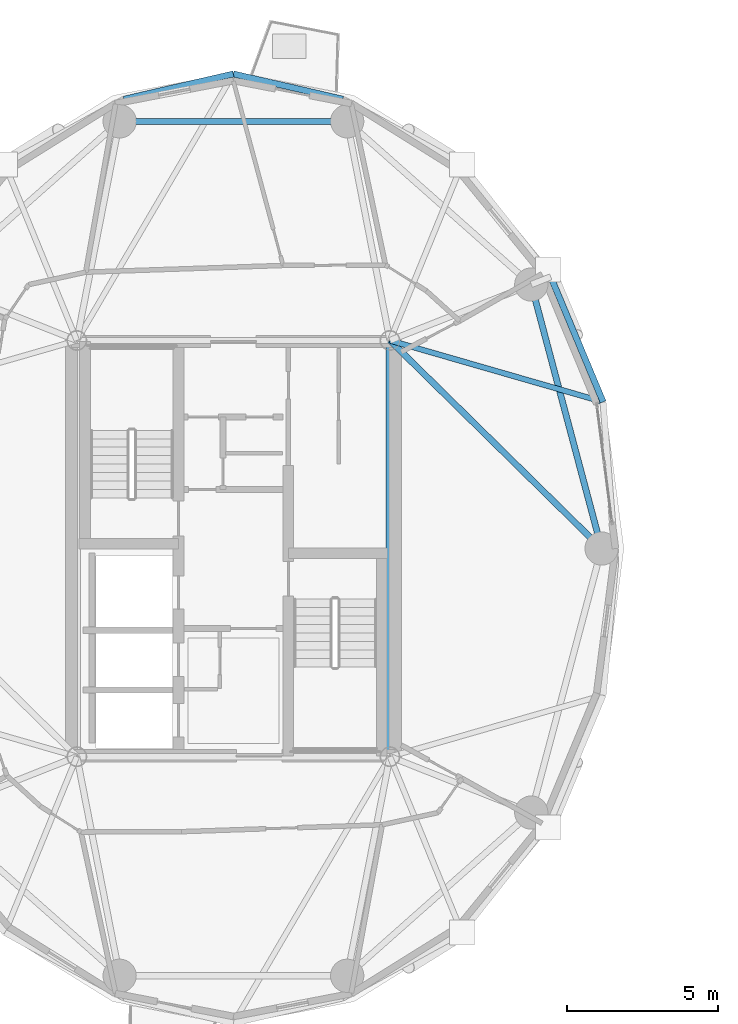
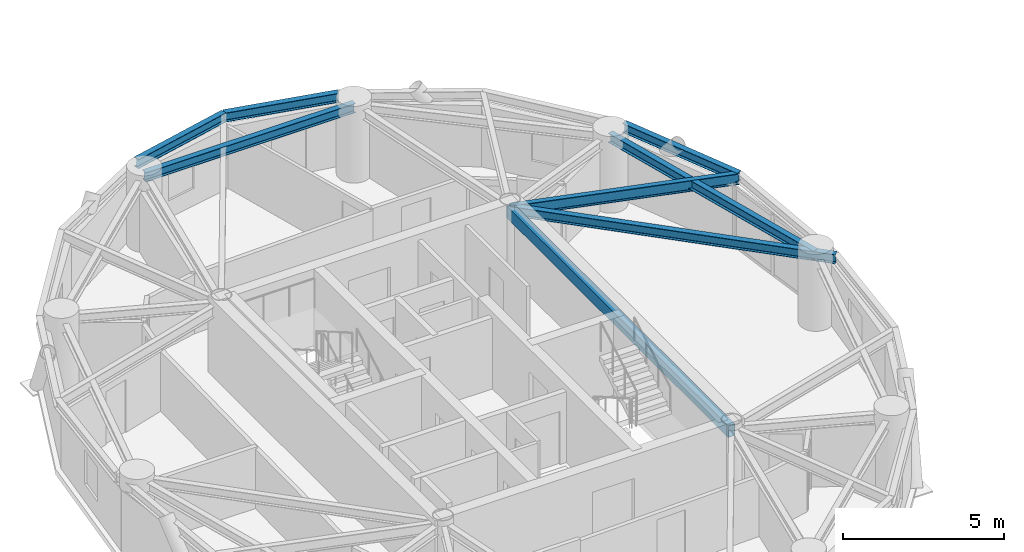
# One storey, part 2 of 16: 8 beams.
"""IFC4 building model written with IfcOpenShell, lengths in metres."""

from ifc_helpers import new_model, si_unit, direction, frame, origin, origin_2d, place, context, subcontext, project, spatial, hollow_rectangle, i_section, extrude, material, material_profile, profile_set, type_object, element, save


model = new_model("IFC4")

# Units and contexts
model_context = context("Model", 3, precision=1e-05, world=origin(), true_north=direction((0.0, 1.0)))
body_context = subcontext(model_context, "Body", "Model", "MODEL_VIEW")
ifc_project = project(units=[si_unit("LENGTHUNIT", "METRE"), si_unit("AREAUNIT", "SQUARE_METRE"), si_unit("VOLUMEUNIT", "CUBIC_METRE"), si_unit("PLANEANGLEUNIT", "RADIAN"), si_unit("MASSUNIT", "GRAM", prefix="KILO")], contexts=[model_context])

# Site, building, storey
site_placement = place(None, origin())
site = spatial("IfcSite", under=ifc_project, at=site_placement, CompositionType="ELEMENT")
building_placement = place(site_placement, origin())
building = spatial("IfcBuilding", under=site, at=building_placement, Name="Cununo Teusaquillo Station Towers", CompositionType="ELEMENT")
storey_placement = place(building_placement, frame((0.0, 0.0, 208.300048828125)))
storey = spatial("IfcBuildingStorey", under=building, at=storey_placement, Name="L66", CompositionType="ELEMENT", Elevation=208.300048828125)

# Beams
ifc_material_1 = material(Name="Steel EN 10025-2 S355J2", Category="steel")
ifc_material_profile_1 = material_profile(ifc_material_1, hollow_rectangle(XDim=0.25, YDim=0.449951171875, WallThickness=0.01611328125, at=origin_2d()), Name="RHS 450x250x16")
ifc_profile_set_1 = profile_set([ifc_material_profile_1], Name="Steel EN 10025-2 S355J2")
beam_type_1 = type_object("IfcBeamType", Name="BM-COUP-1", PredefinedType="USERDEFINED", material=ifc_profile_set_1)
beam_1_placement = place(storey_placement, frame((21.675048828125, 17.6201171875, 2.474853515625), z_axis=(0.0, 1.0, 0.0), x_axis=(-1.0, 0.0, 0.0)))
element("IfcBeam", 1, at=beam_1_placement, inside=storey, type_object=beam_type_1, Name="L66 Tower A Core Beam 2", ObjectType="COUPLING BEAM", PredefinedType="USERDEFINED", context=body_context, shape_type="SweptSolid", body=[
    extrude(hollow_rectangle(XDim=0.25, YDim=0.449951171875, WallThickness=0.01611328125, at=origin_2d()), origin(), (0.0, 0.0, 1.0), 13.759765625),
])
ifc_material_2 = material(Name="Steel ASTM A572 Grade 50", Category="steel")
ifc_material_profile_2 = material_profile(ifc_material_2, i_section(OverallWidth=0.180908203125, OverallDepth=0.4169921875, WebThickness=0.010986328125, FlangeThickness=0.018310546875, FilletRadius=0.012939453125, at=origin_2d()), Name="W16X57")
ifc_profile_set_2 = profile_set([ifc_material_profile_2], Name="Steel ASTM A572 Grade 50")
beam_type_2 = type_object("IfcBeamType", Name="BM-JOIST-1", PredefinedType="JOIST", material=ifc_profile_set_2)
beam_2_placement = place(storey_placement, frame((21.675048828125, 31.3798828125, 2.491455078125), z_axis=(0.960861603375, -0.277028841748, 0.0), x_axis=(0.277028841748, 0.960861603375, 0.0)))
element("IfcBeam", 2, at=beam_2_placement, inside=storey, type_object=beam_type_2, Name="L66 Tower A Radial Spandrel Joist V01", PredefinedType="JOIST", context=body_context, shape_type="SweptSolid", body=[
    extrude(i_section(OverallWidth=0.180908203125, OverallDepth=0.4169921875, WebThickness=0.010986328125, FlangeThickness=0.018310546875, FilletRadius=0.012939453125, at=origin_2d()), origin(), (0.0, 0.0, 1.0), 7.333251953125),
])
ifc_material_3 = material(Name="Steel ASTM A572 Grade 50", Category="steel")
ifc_material_profile_3 = material_profile(ifc_material_3, i_section(OverallWidth=0.2041015625, OverallDepth=0.35009765625, WebThickness=0.008544921875, FlangeThickness=0.01513671875, FilletRadius=0.011962890625, at=origin_2d()), Name="W14X48")
ifc_profile_set_3 = profile_set([ifc_material_profile_3], Name="Steel ASTM A572 Grade 50")
beam_type_3 = type_object("IfcBeamType", Name="BM-RAD-G3", PredefinedType="BEAM", material=ifc_profile_set_3)
beam_3_placement = place(storey_placement, frame((21.675048828125, 31.3798828125, 2.52490234375), z_axis=(0.713043510712, -0.701119784225, 0.0), x_axis=(0.701119784225, 0.713043510712, 0.0)))
element("IfcBeam", 3, at=beam_3_placement, inside=storey, type_object=beam_type_3, Name="L66 Tower A Continuous Overhanging Radial Girder 01", PredefinedType="BEAM", context=body_context, shape_type="SweptSolid", body=[
    extrude(i_section(OverallWidth=0.2041015625, OverallDepth=0.35009765625, WebThickness=0.008544921875, FlangeThickness=0.01513671875, FilletRadius=0.011962890625, at=origin_2d()), origin(), (0.0, 0.0, 1.0), 10.462890625),
])
ifc_material_4 = material(Name="Steel ASTM A572 Grade 50", Category="steel")
ifc_material_profile_4 = material_profile(ifc_material_4, i_section(OverallWidth=0.2041015625, OverallDepth=0.35009765625, WebThickness=0.008544921875, FlangeThickness=0.01513671875, FilletRadius=0.011962890625, at=origin_2d()), Name="W14X48")
ifc_profile_set_4 = profile_set([ifc_material_profile_4], Name="Steel ASTM A572 Grade 50")
beam_type_4 = type_object("IfcBeamType", Name="BM-RING-Z4", PredefinedType="SPANDREL", material=ifc_profile_set_4)
beam_4_placement = place(storey_placement, frame((28.672119140625, 24.5, 2.52490234375), z_axis=(-0.257363196347, 0.966314744359, 0.0), x_axis=(-0.966314744359, -0.257363196347, 0.0)))
element("IfcBeam", 4, at=beam_4_placement, inside=storey, type_object=beam_type_4, Name="L66 Tower A Structural Column Ring Girder 01", PredefinedType="SPANDREL", context=body_context, shape_type="SweptSolid", body=[
    extrude(i_section(OverallWidth=0.2041015625, OverallDepth=0.35009765625, WebThickness=0.008544921875, FlangeThickness=0.01513671875, FilletRadius=0.011962890625, at=origin_2d()), origin(), (0.0, 0.0, 1.0), 9.03271484375),
])
beam_5_placement = place(storey_placement, frame((20.261474609375, 38.623291015625, 2.52490234375), z_axis=(-1.0, 0.0, 0.0), x_axis=(0.0, -1.0, 0.0)))
element("IfcBeam", 5, at=beam_5_placement, inside=storey, type_object=beam_type_4, Name="L66 Tower A Structural Column Ring Girder 03", PredefinedType="SPANDREL", context=body_context, shape_type="SweptSolid", body=[
    extrude(i_section(OverallWidth=0.2041015625, OverallDepth=0.35009765625, WebThickness=0.008544921875, FlangeThickness=0.01513671875, FilletRadius=0.011962890625, at=origin_2d()), origin(), (0.0, 0.0, 1.0), 7.52294921875),
])
beam_6_placement = place(storey_placement, frame((28.72119140625, 29.348388671875, 2.52490234375), z_axis=(-0.386115454066, 0.922450462698, 0.0), x_axis=(-0.922450462698, -0.386115454066, 0.0)))
element("IfcBeam", 6, at=beam_6_placement, inside=storey, type_object=beam_type_4, Name="L66 Tower A Spandrel Ring Beam 02", PredefinedType="SPANDREL", context=body_context, shape_type="SweptSolid", body=[
    extrude(i_section(OverallWidth=0.2041015625, OverallDepth=0.35009765625, WebThickness=0.008544921875, FlangeThickness=0.01513671875, FilletRadius=0.011962890625, at=origin_2d()), origin(), (0.0, 0.0, 1.0), 4.482421875),
])
for number, where, z_axis, x_axis, name in (
    (7, (20.118896484375, 39.353515625, 2.52490234375), (-0.97431470066, 0.225190728224, 0.0), (-0.225190728224, -0.97431470066, 0.0), "L66 Tower A Spandrel Ring Beam 05"),
    (8, (16.5, 40.18994140625, 2.52490234375), (-0.97431470066, -0.225190728224, 0.0), (0.225190728224, -0.97431470066, 0.0), "L66 Tower A Spandrel Ring Beam 06"),
):
    element("IfcBeam", number, at=place(storey_placement, frame(where, z_axis=z_axis, x_axis=x_axis)), inside=storey, type_object=beam_type_4, Name=name, PredefinedType="SPANDREL", context=body_context, shape_type="SweptSolid", body=[
        extrude(i_section(OverallWidth=0.2041015625, OverallDepth=0.35009765625, WebThickness=0.008544921875, FlangeThickness=0.01513671875, FilletRadius=0.011962890625, at=origin_2d()), origin(), (0.0, 0.0, 1.0), 3.71435546875),
    ])

save(model, "model.ifc")
